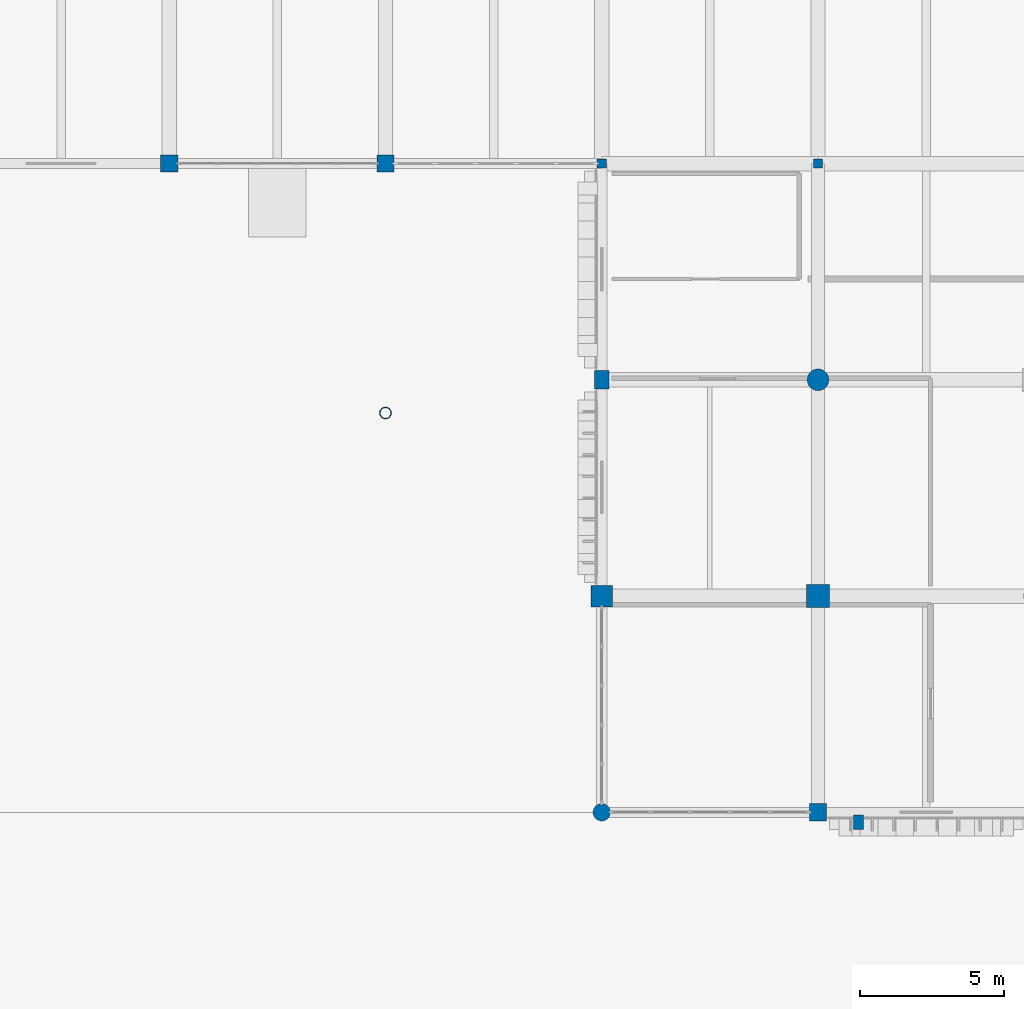
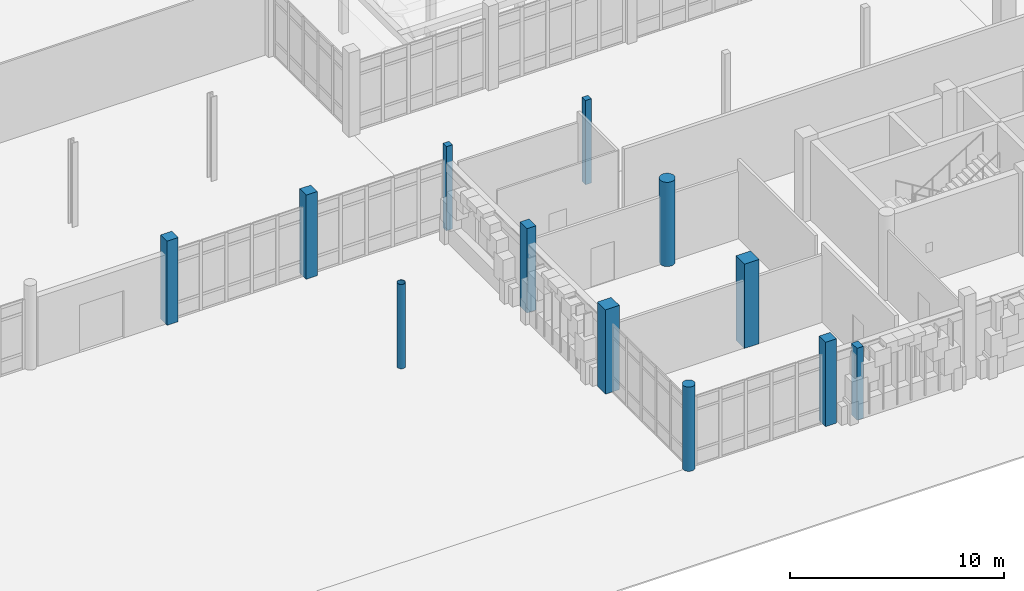
# One storey, part 5 of 125: 12 columns.
"""IFC4 building model written with IfcOpenShell, lengths in metres."""

from ifc_helpers import new_model, si_unit, direction, frame, origin, origin_2d, place, context, subcontext, project, spatial, rectangle, circle, hollow_circle, extrude, material, material_profile, profile_set, type_object, element, save


model = new_model("IFC4")

# Units and contexts
model_context = context("Model", 3, precision=1e-05, world=origin(), true_north=direction((0.0, 1.0)))
body_context = subcontext(model_context, "Body", "Model", "MODEL_VIEW")
ifc_project = project(units=[si_unit("LENGTHUNIT", "METRE"), si_unit("AREAUNIT", "SQUARE_METRE"), si_unit("VOLUMEUNIT", "CUBIC_METRE"), si_unit("PLANEANGLEUNIT", "RADIAN"), si_unit("MASSUNIT", "GRAM", prefix="KILO")], contexts=[model_context])

# Site, building, storey
site_placement = place(None, origin())
site = spatial("IfcSite", under=ifc_project, at=site_placement, CompositionType="ELEMENT")
building_placement = place(site_placement, origin())
building = spatial("IfcBuilding", under=site, at=building_placement, Name="Dalvernix Boulevard General Hospital", CompositionType="ELEMENT")
storey_placement = place(building_placement, origin())
storey = spatial("IfcBuildingStorey", under=building, at=storey_placement, Name="L00", CompositionType="ELEMENT", Elevation=0.0)

# Columns
ifc_material_1 = material(Name="Concrete C40/50", Category="concrete")
ifc_material_profile_1 = material_profile(ifc_material_1, rectangle(XDim=0.800048828125, YDim=0.800048828125, at=origin_2d()), Name="RC 800x800")
ifc_profile_set_1 = profile_set([ifc_material_profile_1], Name="Concrete C40/50")
column_type_1 = type_object("IfcColumnType", Name="COL-C-03-I", PredefinedType="COLUMN", material=ifc_profile_set_1)
column_1_placement = place(storey_placement, frame((120.0, 7.5, 0.0), z_axis=(0.0, 0.0, 1.0), x_axis=(1.0, 0.0, 0.0)))
element("IfcColumn", 1, at=column_1_placement, inside=storey, type_object=column_type_1, Name="L00 column 17B", PredefinedType="COLUMN", context=body_context, shape_type="SweptSolid", body=[
    extrude(rectangle(XDim=0.800048828125, YDim=0.800048828125, at=origin_2d()), origin(), (0.0, 0.0, 1.0), 4.800048828125),
])
ifc_material_profile_2 = material_profile(ifc_material_1, rectangle(XDim=0.75, YDim=0.75, at=origin_2d()), Name="RC 750x750")
ifc_profile_set_2 = profile_set([ifc_material_profile_2], Name="Concrete C40/50")
column_type_2 = type_object("IfcColumnType", Name="COL-C-04-E", PredefinedType="COLUMN", material=ifc_profile_set_2)
column_2_placement = place(storey_placement, frame((112.5, 7.5, 0.0), z_axis=(0.0, 0.0, 1.0), x_axis=(1.0, 0.0, 0.0)))
element("IfcColumn", 2, at=column_2_placement, inside=storey, type_object=column_type_2, Name="L00 column 16B", PredefinedType="COLUMN", context=body_context, shape_type="SweptSolid", body=[
    extrude(rectangle(XDim=0.75, YDim=0.75, at=origin_2d()), origin(), (0.0, 0.0, 1.0), 4.800048828125),
])
ifc_material_profile_3 = material_profile(ifc_material_1, rectangle(XDim=0.60009765625, YDim=0.60009765625, at=origin_2d()), Name="RC 600x600")
ifc_profile_set_3 = profile_set([ifc_material_profile_3], Name="Concrete C40/50")
column_type_3 = type_object("IfcColumnType", Name="COL-C-07-E", PredefinedType="COLUMN", material=ifc_profile_set_3)
for number, where, z_axis, x_axis, name in (
    (3, (97.5, 22.5, 0.0), (0.0, 0.0, 1.0), (1.0, 0.0, 0.0), "L00 column 14D"),
    (4, (105.0, 22.5, 0.0), (0.0, 0.0, 1.0), (1.0, 0.0, 0.0), "L00 column 15D"),
    (5, (120.0, 0.0, 0.0), (0.0, 0.0, 1.0), (1.0, 0.0, 0.0), "L00 column 17A"),
):
    element("IfcColumn", number, at=place(storey_placement, frame(where, z_axis=z_axis, x_axis=x_axis)), inside=storey, type_object=column_type_3, Name=name, PredefinedType="COLUMN", context=body_context, shape_type="SweptSolid", body=[
        extrude(rectangle(XDim=0.60009765625, YDim=0.60009765625, at=origin_2d()), origin(), (0.0, 0.0, 1.0), 4.800048828125),
    ])
ifc_material_profile_4 = material_profile(ifc_material_1, rectangle(XDim=0.5, YDim=0.64990234375, at=origin_2d()), Name="RC 500x650")
ifc_profile_set_4 = profile_set([ifc_material_profile_4], Name="Concrete C40/50")
column_type_4 = type_object("IfcColumnType", Name="COL-C-12-E", PredefinedType="COLUMN", material=ifc_profile_set_4)
column_3_placement = place(storey_placement, frame((112.5, 15.0, 0.0), z_axis=(0.0, 0.0, 1.0), x_axis=(1.0, 0.0, 0.0)))
element("IfcColumn", 6, at=column_3_placement, inside=storey, type_object=column_type_4, Name="L00 column 16C", PredefinedType="COLUMN", context=body_context, shape_type="SweptSolid", body=[
    extrude(rectangle(XDim=0.5, YDim=0.64990234375, at=origin_2d()), origin(), (0.0, 0.0, 1.0), 4.800048828125),
])
ifc_material_profile_5 = material_profile(ifc_material_1, circle(Radius=0.375, at=origin_2d()), Name="RC D750")
ifc_profile_set_5 = profile_set([ifc_material_profile_5], Name="Concrete C40/50")
column_type_5 = type_object("IfcColumnType", Name="COL-C-14-I", PredefinedType="COLUMN", material=ifc_profile_set_5)
column_4_placement = place(storey_placement, frame((120.0, 15.0, 0.0), z_axis=(0.0, 0.0, 1.0), x_axis=(1.0, 0.0, 0.0)))
element("IfcColumn", 7, at=column_4_placement, inside=storey, type_object=column_type_5, Name="L00 column 17C", PredefinedType="COLUMN", context=body_context, shape_type="SweptSolid", body=[
    extrude(circle(Radius=0.375, at=origin_2d()), origin(), (0.0, 0.0, 1.0), 4.800048828125),
])
ifc_material_profile_6 = material_profile(ifc_material_1, circle(Radius=0.300048828125, at=origin_2d()), Name="RC D600")
ifc_profile_set_6 = profile_set([ifc_material_profile_6], Name="Concrete C40/50")
column_type_6 = type_object("IfcColumnType", Name="COL-C-15-E", PredefinedType="COLUMN", material=ifc_profile_set_6)
column_5_placement = place(storey_placement, frame((112.5, 0.0, 0.0), z_axis=(0.0, 0.0, 1.0), x_axis=(1.0, 0.0, 0.0)))
element("IfcColumn", 8, at=column_5_placement, inside=storey, type_object=column_type_6, Name="L00 column 16A", PredefinedType="COLUMN", context=body_context, shape_type="SweptSolid", body=[
    extrude(circle(Radius=0.300048828125, at=origin_2d()), origin(), (0.0, 0.0, 1.0), 4.800048828125),
])
ifc_material_2 = material(Name="Steel S355", Category="steel")
ifc_material_profile_7 = material_profile(ifc_material_2, hollow_circle(Radius=0.203125, WallThickness=0.01611328125, at=origin_2d()), Name="CHS 406.4x16.0")
ifc_profile_set_7 = profile_set([ifc_material_profile_7], Name="Steel S355")
column_type_7 = type_object("IfcColumnType", Name="COL-C-19", PredefinedType="COLUMN", material=ifc_profile_set_7)
column_6_placement = place(storey_placement, frame((105.0, 13.85009765625, 0.0), z_axis=(0.0, 0.0, 1.0), x_axis=(1.0, 0.0, 0.0)))
element("IfcColumn", 9, at=column_6_placement, inside=storey, type_object=column_type_7, Name="L00 Porte-cochere corner steel pylon L00-2", PredefinedType="COLUMN", context=body_context, shape_type="SweptSolid", body=[
    extrude(hollow_circle(Radius=0.203125, WallThickness=0.01611328125, at=origin_2d()), origin(), (0.0, 0.0, 1.0), 4.800048828125),
])
ifc_material_3 = material(Name="Glulam GL28h", Category="wood")
ifc_material_profile_8 = material_profile(ifc_material_3, rectangle(XDim=0.320068359375, YDim=0.320068359375, at=origin_2d()), Name="GL28h 320x320")
ifc_profile_set_8 = profile_set([ifc_material_profile_8], Name="Glulam GL28h")
column_type_8 = type_object("IfcColumnType", Name="COL-C-20-E", PredefinedType="COLUMN", material=ifc_profile_set_8)
column_7_placement = place(storey_placement, frame((112.5, 22.5, 0.0), z_axis=(0.0, 0.0, 1.0), x_axis=(1.0, 0.0, 0.0)))
element("IfcColumn", 10, at=column_7_placement, inside=storey, type_object=column_type_8, Name="L00 column 16D", PredefinedType="COLUMN", context=body_context, shape_type="SweptSolid", body=[
    extrude(rectangle(XDim=0.320068359375, YDim=0.320068359375, at=origin_2d()), origin(), (0.0, 0.0, 1.0), 4.800048828125),
])
ifc_material_profile_9 = material_profile(ifc_material_3, rectangle(XDim=0.320068359375, YDim=0.320068359375, at=origin_2d()), Name="GL28h 320x320")
ifc_profile_set_9 = profile_set([ifc_material_profile_9], Name="Glulam GL28h")
column_type_9 = type_object("IfcColumnType", Name="COL-C-20-I", PredefinedType="COLUMN", material=ifc_profile_set_9)
column_8_placement = place(storey_placement, frame((120.0, 22.5, 0.0), z_axis=(0.0, 0.0, 1.0), x_axis=(1.0, 0.0, 0.0)))
element("IfcColumn", 11, at=column_8_placement, inside=storey, type_object=column_type_9, Name="L00 column 17D", PredefinedType="COLUMN", context=body_context, shape_type="SweptSolid", body=[
    extrude(rectangle(XDim=0.320068359375, YDim=0.320068359375, at=origin_2d()), origin(), (0.0, 0.0, 1.0), 4.800048828125),
])
ifc_material_profile_10 = material_profile(ifc_material_1, rectangle(XDim=0.35009765625, YDim=0.5, at=origin_2d()), Name="RC 350x500")
ifc_profile_set_10 = profile_set([ifc_material_profile_10], Name="Concrete C40/50")
column_type_10 = type_object("IfcColumnType", Name="COL-CP-01", PredefinedType="PILASTER", material=ifc_profile_set_10)
column_9_placement = place(storey_placement, frame((121.39990234375, -0.340087890625, 0.0), z_axis=(0.0, 0.0, 1.0), x_axis=(1.0, 0.0, 0.0)))
element("IfcColumn", 12, at=column_9_placement, inside=storey, type_object=column_type_10, Name="L00 boulevard facade pilaster 7", PredefinedType="PILASTER", context=body_context, shape_type="SweptSolid", body=[
    extrude(rectangle(XDim=0.35009765625, YDim=0.5, at=origin_2d()), origin(), (0.0, 0.0, 1.0), 4.10009765625),
])

save(model, "model.ifc")
